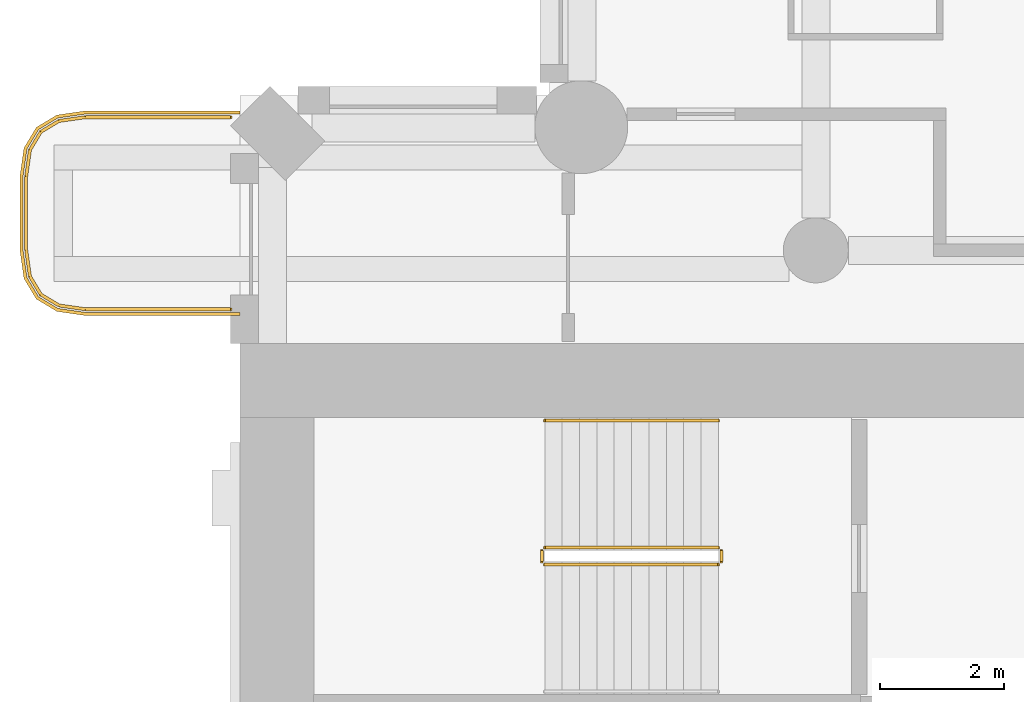
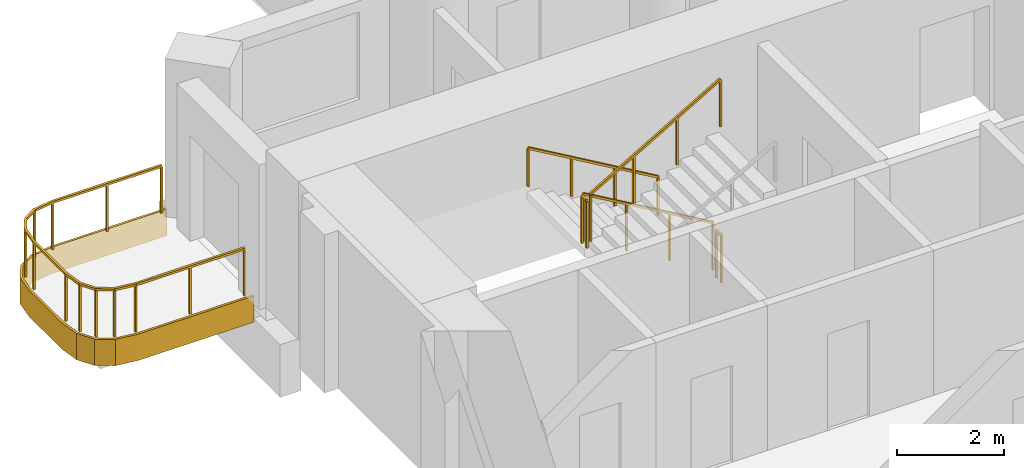
# One storey, part 17 of 20: 6 railings, 1 covering.
"""IFC4 building model written with IfcOpenShell, lengths in metres."""

from ifc_helpers import new_model, si_unit, direction, frame, origin, origin_2d, place, context, subcontext, project, spatial, polyline, rectangle, outline, extrude, material, layer, layer_set, type_object, element, save


model = new_model("IFC4")

# Units and contexts
model_context = context("Model", 3, precision=1e-05, world=origin(), true_north=direction((0.0, 1.0)))
body_context = subcontext(model_context, "Body", "Model", "MODEL_VIEW")
ifc_project = project(units=[si_unit("LENGTHUNIT", "METRE"), si_unit("AREAUNIT", "SQUARE_METRE"), si_unit("VOLUMEUNIT", "CUBIC_METRE"), si_unit("PLANEANGLEUNIT", "RADIAN"), si_unit("MASSUNIT", "GRAM", prefix="KILO")], contexts=[model_context])

# Site, building, storey
site_placement = place(None, origin())
site = spatial("IfcSite", under=ifc_project, at=site_placement, CompositionType="ELEMENT")
building_placement = place(site_placement, origin())
building = spatial("IfcBuilding", under=site, at=building_placement, Name="Cypress Arch Tower", CompositionType="ELEMENT")
storey_placement = place(building_placement, frame((0.0, 0.0, 116.699951171875)))
storey = spatial("IfcBuildingStorey", under=building, at=storey_placement, Name="L24", CompositionType="ELEMENT", Elevation=116.699951171875)

# Covering
ifc_material_1 = material(Name="White powder-coated aluminium fascia", Category="aluminium")
ifc_layer = layer(ifc_material_1, 0.050048828125)
ifc_layer_set = layer_set([ifc_layer], Name="Balcony fascia BF50")
covering_type = type_object("IfcCoveringType", Name="Balcony fascia BF50", PredefinedType="CLADDING", material=ifc_layer_set)
covering_placement = place(storey_placement, frame((0.0, 0.0, -0.599853515625)))
element("IfcCovering", 1, at=covering_placement, inside=storey, type_object=covering_type, Name="Balcony fascia L24-A00W0", PredefinedType="CLADDING", context=body_context, shape_type="SweptSolid", body=[
    extrude(outline(polyline([(-32.503662109375, 16.449951171875), (-32.95458984375, 16.514404296875), (-33.286376953125, 16.713623046875), (-33.485595703125, 17.04541015625), (-33.550048828125, 17.496337890625), (-33.550048828125, 18.70361328125), (-33.485595703125, 19.154541015625), (-33.286376953125, 19.486328125), (-32.95458984375, 19.685546875), (-32.503662109375, 19.75), (-30.0009765625, 19.75), (-30.0009765625, 19.699951171875), (-32.5, 19.699951171875), (-32.9375, 19.637451171875), (-33.25, 19.449951171875), (-33.4375, 19.137451171875), (-33.5, 18.699951171875), (-33.5, 17.5), (-33.4375, 17.0625), (-33.25, 16.75), (-32.9375, 16.5625), (-32.5, 16.5), (-30.0009765625, 16.5), (-30.0009765625, 16.449951171875), (-32.503662109375, 16.449951171875)])), origin(), (0.0, 0.0, 1.0), 0.599853515625),
])

# Railings
ifc_material_2 = material(Name="Powder-coated steel posts and rods, 100 mm clear between rods", Category="steel")
railing_type_1 = type_object("IfcRailingType", Name="Balcony guard GR1100", PredefinedType="GUARDRAIL", material=ifc_material_2)
railing_1_placement = place(storey_placement, frame((-30.14990234375, 16.550048828125, 0.0)))
element("IfcRailing", 2, at=railing_1_placement, inside=storey, type_object=railing_type_1, Name="Balcony guard L24-A00W0", PredefinedType="GUARDRAIL", context=body_context, shape_type="SweptSolid", body=[
    extrude(rectangle(XDim=0.050048828125, YDim=0.050048828125, at=origin_2d()), frame((0.0, 0.0, 1.0751953125), z_axis=(-1.0, 0.0, 0.0), x_axis=(0.0, -1.0, 0.0)), (0.0, 0.0, 1.0), 2.346435546875),
    extrude(rectangle(XDim=0.050048828125, YDim=0.050048828125, at=origin_2d()), frame((-2.346435546875, 0.0, 1.0751953125), z_axis=(-0.989960888959, 0.141341566184, 0.0), x_axis=(-0.141341566184, -0.989960888959, 0.0)), (0.0, 0.0, 1.0), 0.428466796875),
    extrude(rectangle(XDim=0.050048828125, YDim=0.050048828125, at=origin_2d()), frame((-2.7705078125, 0.060546875, 1.0751953125), z_axis=(-0.857681904839, 0.514180659021, 0.0), x_axis=(-0.514180659021, -0.857681904839, 0.0)), (0.0, 0.0, 1.0), 0.341796875),
    extrude(rectangle(XDim=0.050048828125, YDim=0.050048828125, at=origin_2d()), frame((-3.063720703125, 0.236328125, 1.0751953125), z_axis=(-0.514180659021, 0.857681904839, 0.0), x_axis=(-0.857681904839, -0.514180659021, 0.0)), (0.0, 0.0, 1.0), 0.341796875),
    extrude(rectangle(XDim=0.050048828125, YDim=0.050048828125, at=origin_2d()), frame((-3.239501953125, 0.529541015625, 1.0751953125), z_axis=(-0.141341566184, 0.989960888959, 0.0), x_axis=(-0.989960888959, -0.141341566184, 0.0)), (0.0, 0.0, 1.0), 0.428466796875),
    extrude(rectangle(XDim=0.050048828125, YDim=0.050048828125, at=origin_2d()), frame((-3.300048828125, 0.95361328125, 1.0751953125), z_axis=(0.0, 1.0, 0.0), x_axis=(-1.0, 0.0, 0.0)), (0.0, 0.0, 1.0), 1.19287109375),
    extrude(rectangle(XDim=0.050048828125, YDim=0.050048828125, at=origin_2d()), frame((-3.300048828125, 2.146484375, 1.0751953125), z_axis=(0.141421356237, 0.989949493661, 0.0), x_axis=(-0.989949493661, 0.141421356237, 0.0)), (0.0, 0.0, 1.0), 0.42822265625),
    extrude(rectangle(XDim=0.050048828125, YDim=0.050048828125, at=origin_2d()), frame((-3.239501953125, 2.5703125, 1.0751953125), z_axis=(0.514180659021, 0.857681904839, 0.0), x_axis=(-0.857681904839, 0.514180659021, 0.0)), (0.0, 0.0, 1.0), 0.341796875),
    extrude(rectangle(XDim=0.050048828125, YDim=0.050048828125, at=origin_2d()), frame((-3.063720703125, 2.863525390625, 1.0751953125), z_axis=(0.857681904839, 0.514180659021, 0.0), x_axis=(-0.514180659021, 0.857681904839, 0.0)), (0.0, 0.0, 1.0), 0.341796875),
    extrude(rectangle(XDim=0.050048828125, YDim=0.050048828125, at=origin_2d()), frame((-2.7705078125, 3.039306640625, 1.0751953125), z_axis=(0.989960888959, 0.141341566184, 0.0), x_axis=(-0.141341566184, 0.989960888959, 0.0)), (0.0, 0.0, 1.0), 0.428466796875),
    extrude(rectangle(XDim=0.050048828125, YDim=0.050048828125, at=origin_2d()), frame((-2.346435546875, 3.099853515625, 1.0751953125), z_axis=(1.0, 0.0, 0.0), x_axis=(0.0, 1.0, 0.0)), (0.0, 0.0, 1.0), 2.346435546875),
    extrude(rectangle(XDim=0.0400390625, YDim=0.0400390625, at=origin_2d()), origin(), (0.0, 0.0, 1.0), 1.050048828125),
    extrude(rectangle(XDim=0.0400390625, YDim=0.0400390625, at=origin_2d()), frame((-1.17333984375, 0.0, 0.0)), (0.0, 0.0, 1.0), 1.050048828125),
    extrude(rectangle(XDim=0.0400390625, YDim=0.0400390625, at=origin_2d()), frame((-2.346435546875, 0.0, 0.0)), (0.0, 0.0, 1.0), 1.050048828125),
    extrude(rectangle(XDim=0.0400390625, YDim=0.0400390625, at=origin_2d()), frame((-2.7705078125, 0.060546875, 0.0)), (0.0, 0.0, 1.0), 1.050048828125),
    extrude(rectangle(XDim=0.0400390625, YDim=0.0400390625, at=origin_2d()), frame((-3.063720703125, 0.236328125, 0.0)), (0.0, 0.0, 1.0), 1.050048828125),
    extrude(rectangle(XDim=0.0400390625, YDim=0.0400390625, at=origin_2d()), frame((-3.239501953125, 0.529541015625, 0.0)), (0.0, 0.0, 1.0), 1.050048828125),
    extrude(rectangle(XDim=0.0400390625, YDim=0.0400390625, at=origin_2d()), frame((-3.300048828125, 0.95361328125, 0.0)), (0.0, 0.0, 1.0), 1.050048828125),
    extrude(rectangle(XDim=0.0400390625, YDim=0.0400390625, at=origin_2d()), frame((-3.300048828125, 2.146484375, 0.0)), (0.0, 0.0, 1.0), 1.050048828125),
    extrude(rectangle(XDim=0.0400390625, YDim=0.0400390625, at=origin_2d()), frame((-3.239501953125, 2.5703125, 0.0)), (0.0, 0.0, 1.0), 1.050048828125),
    extrude(rectangle(XDim=0.0400390625, YDim=0.0400390625, at=origin_2d()), frame((-3.063720703125, 2.863525390625, 0.0)), (0.0, 0.0, 1.0), 1.050048828125),
    extrude(rectangle(XDim=0.0400390625, YDim=0.0400390625, at=origin_2d()), frame((-2.7705078125, 3.039306640625, 0.0)), (0.0, 0.0, 1.0), 1.050048828125),
    extrude(rectangle(XDim=0.0400390625, YDim=0.0400390625, at=origin_2d()), frame((-2.346435546875, 3.099853515625, 0.0)), (0.0, 0.0, 1.0), 1.050048828125),
    extrude(rectangle(XDim=0.0400390625, YDim=0.0400390625, at=origin_2d()), frame((-1.17333984375, 3.099853515625, 0.0)), (0.0, 0.0, 1.0), 1.050048828125),
    extrude(rectangle(XDim=0.0400390625, YDim=0.0400390625, at=origin_2d()), frame((0.0, 3.099853515625, 0.0)), (0.0, 0.0, 1.0), 1.050048828125),
])
ifc_material_3 = material(Name="Black powder-coated steel square bar 48 mm", Category="steel")
railing_type_2 = type_object("IfcRailingType", Name="Stair handrail HR1", PredefinedType="HANDRAIL", material=ifc_material_3)
railing_2_placement = place(storey_placement, frame((-22.27490234375, 14.75, 0.16357421875)))
element("IfcRailing", 3, at=railing_2_placement, inside=storey, type_object=railing_type_2, Name="L24 B stair handrail 1", PredefinedType="HANDRAIL", context=body_context, shape_type="SweptSolid", body=[
    extrude(rectangle(XDim=0.048095703125, YDim=0.048095703125, at=origin_2d()), frame((0.0, 0.0, 0.8759765625), z_axis=(-0.863360870873, 0.0, 0.504586966384), x_axis=(0.0, -1.0, 0.0)), (0.0, 0.0, 1.0), 3.2431640625),
    extrude(rectangle(XDim=0.0419921875, YDim=0.0419921875, at=origin_2d()), origin(), (0.0, 0.0, 1.0), 0.851806640625),
    extrude(rectangle(XDim=0.0419921875, YDim=0.0419921875, at=origin_2d()), frame((-0.933349609375, 0.0, 0.54541015625)), (0.0, 0.0, 1.0), 0.851806640625),
    extrude(rectangle(XDim=0.0419921875, YDim=0.0419921875, at=origin_2d()), frame((-1.86669921875, 0.0, 1.091064453125)), (0.0, 0.0, 1.0), 0.851806640625),
    extrude(rectangle(XDim=0.0419921875, YDim=0.0419921875, at=origin_2d()), frame((-2.800048828125, 0.0, 1.636474609375)), (0.0, 0.0, 1.0), 0.851806640625),
])
ifc_material_4 = material(Name="Black powder-coated steel balusters", Category="steel")
railing_type_3 = type_object("IfcRailingType", Name="Stair well guard G1", PredefinedType="GUARDRAIL", material=ifc_material_4)
railing_3_placement = place(storey_placement, frame((-22.27490234375, 12.699951171875, 0.16357421875)))
element("IfcRailing", 4, at=railing_3_placement, inside=storey, type_object=railing_type_3, Name="L24 B stair guard 1", PredefinedType="GUARDRAIL", context=body_context, shape_type="SweptSolid", body=[
    extrude(rectangle(XDim=0.048095703125, YDim=0.048095703125, at=origin_2d()), frame((0.0, 0.0, 1.076171875), z_axis=(-0.863360870873, 0.0, 0.504586966384), x_axis=(0.0, -1.0, 0.0)), (0.0, 0.0, 1.0), 3.2431640625),
    extrude(rectangle(XDim=0.0419921875, YDim=0.0419921875, at=origin_2d()), origin(), (0.0, 0.0, 1.0), 1.052001953125),
    extrude(rectangle(XDim=0.0419921875, YDim=0.0419921875, at=origin_2d()), frame((-0.933349609375, 0.0, 0.54541015625)), (0.0, 0.0, 1.0), 1.052001953125),
    extrude(rectangle(XDim=0.0419921875, YDim=0.0419921875, at=origin_2d()), frame((-1.86669921875, 0.0, 1.091064453125)), (0.0, 0.0, 1.0), 1.052001953125),
    extrude(rectangle(XDim=0.0419921875, YDim=0.0419921875, at=origin_2d()), frame((-2.800048828125, 0.0, 1.636474609375)), (0.0, 0.0, 1.0), 1.052001953125),
])
railing_4_placement = place(storey_placement, frame((-25.125, 12.64990234375, 1.800048828125)))
element("IfcRailing", 5, at=railing_4_placement, inside=storey, type_object=railing_type_3, Name="L24 B stair guard 2", PredefinedType="GUARDRAIL", context=body_context, shape_type="SweptSolid", body=[
    extrude(rectangle(XDim=0.048095703125, YDim=0.048095703125, at=origin_2d()), frame((0.0, 0.0, 1.076171875), z_axis=(0.0, -1.0, 0.0), x_axis=(1.0, 0.0, 0.0)), (0.0, 0.0, 1.0), 0.1748046875),
    extrude(rectangle(XDim=0.0419921875, YDim=0.0419921875, at=origin_2d()), origin(), (0.0, 0.0, 1.0), 1.052001953125),
    extrude(rectangle(XDim=0.0419921875, YDim=0.0419921875, at=origin_2d()), frame((0.0, -0.1748046875, 0.0)), (0.0, 0.0, 1.0), 1.052001953125),
])
railing_5_placement = place(storey_placement, frame((-25.074951171875, 12.425048828125, 1.963623046875)))
element("IfcRailing", 6, at=railing_5_placement, inside=storey, type_object=railing_type_3, Name="L24 B stair guard 3", PredefinedType="GUARDRAIL", context=body_context, shape_type="SweptSolid", body=[
    extrude(rectangle(XDim=0.048095703125, YDim=0.048095703125, at=origin_2d()), frame((0.0, 0.0, 1.076171875), z_axis=(0.863360870873, 0.0, 0.504586966384), x_axis=(0.0, 1.0, 0.0)), (0.0, 0.0, 1.0), 3.2431640625),
    extrude(rectangle(XDim=0.0419921875, YDim=0.0419921875, at=origin_2d()), origin(), (0.0, 0.0, 1.0), 1.052001953125),
    extrude(rectangle(XDim=0.0419921875, YDim=0.0419921875, at=origin_2d()), frame((0.933349609375, 0.0, 0.54541015625)), (0.0, 0.0, 1.0), 1.052001953125),
    extrude(rectangle(XDim=0.0419921875, YDim=0.0419921875, at=origin_2d()), frame((1.86669921875, 0.0, 1.091064453125)), (0.0, 0.0, 1.0), 1.052001953125),
    extrude(rectangle(XDim=0.0419921875, YDim=0.0419921875, at=origin_2d()), frame((2.800048828125, 0.0, 1.636474609375)), (0.0, 0.0, 1.0), 1.052001953125),
])
railing_6_placement = place(storey_placement, frame((-22.22509765625, 12.64990234375, 0.0)))
element("IfcRailing", 7, at=railing_6_placement, inside=storey, type_object=railing_type_3, Name="L24 B stair guard 4", PredefinedType="GUARDRAIL", context=body_context, shape_type="SweptSolid", body=[
    extrude(rectangle(XDim=0.048095703125, YDim=0.048095703125, at=origin_2d()), frame((0.0, 0.0, 1.076171875), z_axis=(0.0, -1.0, 0.0), x_axis=(1.0, 0.0, 0.0)), (0.0, 0.0, 1.0), 0.1748046875),
    extrude(rectangle(XDim=0.0419921875, YDim=0.0419921875, at=origin_2d()), origin(), (0.0, 0.0, 1.0), 1.052001953125),
    extrude(rectangle(XDim=0.0419921875, YDim=0.0419921875, at=origin_2d()), frame((0.0, -0.1748046875, 0.0)), (0.0, 0.0, 1.0), 1.052001953125),
])

save(model, "model.ifc")
